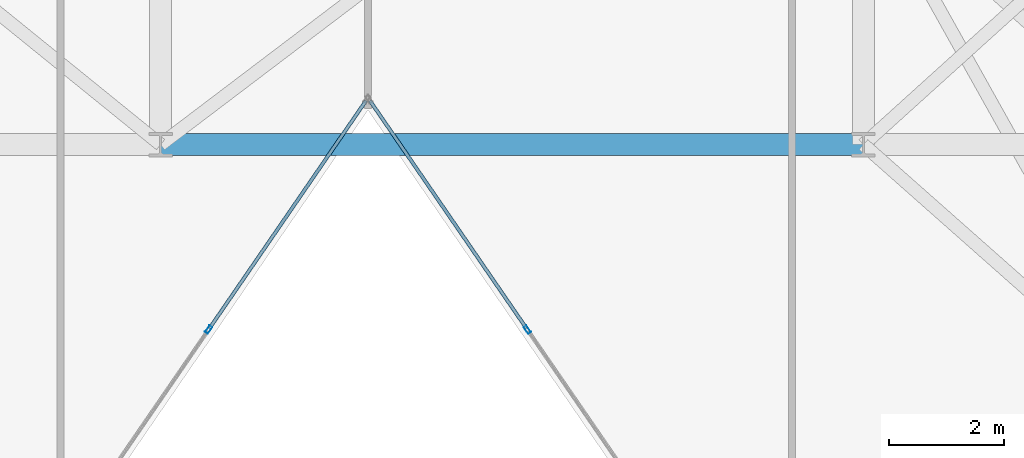
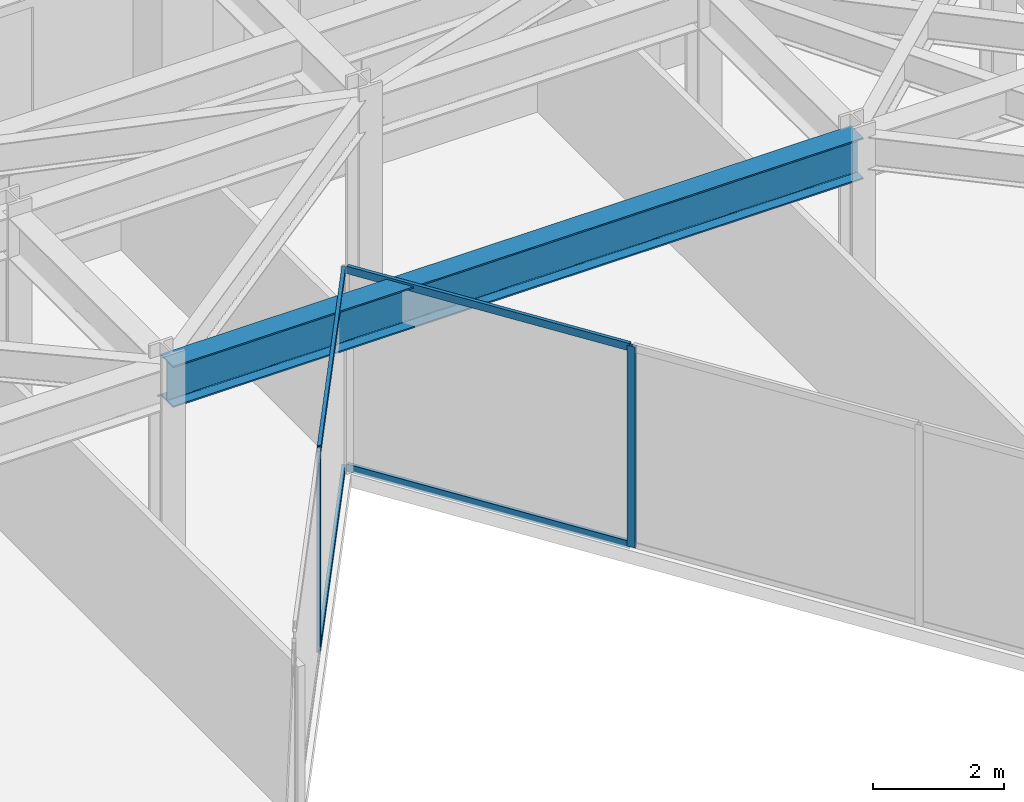
# One storey, part 6 of 21: 6 members, 1 beam, 2 elements without a shape of their own.
"""IFC4 building model written with IfcOpenShell, lengths in metres."""

from ifc_helpers import new_model, si_unit, direction, frame, origin, origin_2d, place, context, subcontext, project, spatial, hollow_rectangle, i_section, extrude, material, layer, layer_set, material_profile, profile_set, type_object, element, aggregate, save


model = new_model("IFC4")

# Units and contexts
model_context = context("Model", 3, precision=1e-05, world=origin(), true_north=direction((0.0, 1.0)))
body_context = subcontext(model_context, "Body", "Model", "MODEL_VIEW")
ifc_project = project(units=[si_unit("LENGTHUNIT", "METRE"), si_unit("AREAUNIT", "SQUARE_METRE"), si_unit("VOLUMEUNIT", "CUBIC_METRE"), si_unit("PLANEANGLEUNIT", "RADIAN"), si_unit("MASSUNIT", "GRAM", prefix="KILO")], contexts=[model_context])

# Site, building, storey
site_placement = place(None, origin())
site = spatial("IfcSite", under=ifc_project, at=site_placement, CompositionType="ELEMENT")
building_placement = place(site_placement, origin())
building = spatial("IfcBuilding", under=site, at=building_placement, Name="Kravanh Interchange Tower", CompositionType="ELEMENT")
storey_placement = place(building_placement, frame((0.0, 0.0, 192.5)))
storey = spatial("IfcBuildingStorey", under=building, at=storey_placement, Name="L46", CompositionType="ELEMENT", Elevation=192.5)

# Curtain wall, member
ifc_material_1 = material(Name="Anodised Bronze Aluminium", Category="aluminium")
ifc_layer = layer(ifc_material_1, 0.179931640625)
ifc_layer_set = layer_set([ifc_layer], Name="Unitised Curtain Wall System CW-Z3 Upper Office")
curtain_wall_type = type_object("IfcCurtainWallType", Name="Unitised Curtain Wall System CW-Z3 Upper Office", PredefinedType="NOTDEFINED", material=ifc_layer_set)
curtain_wall_1_placement = place(storey_placement, origin())
curtain_wall_1 = element("IfcCurtainWall", 1, at=curtain_wall_1_placement, inside=storey, type_object=curtain_wall_type, Name="L46 Unitised Curtain Wall CW-L46-03", PredefinedType="NOTDEFINED")
ifc_material_2 = material(Name="Anodised Bronze Aluminium", Category="aluminium")
ifc_material_profile_1 = material_profile(ifc_material_2, hollow_rectangle(XDim=0.06005859375, YDim=0.139892578125, WallThickness=0.00390625, at=origin_2d()), Name="ALU60X140X4")
ifc_profile_set_1 = profile_set([ifc_material_profile_1], Name="Anodised Bronze Aluminium")
member_type_1 = type_object("IfcMemberType", Name="Curtain Wall Mullion ALU60X140X4 Bronze", PredefinedType="MULLION", material=ifc_profile_set_1)
member_1_placement = place(storey_placement, frame((44.9658203125, 23.5888671875, 0.0), z_axis=(0.0, 0.0, 1.0), x_axis=(-0.824042223035, -0.566528388217, 0.0)))
member_1 = element("IfcMember", 2, at=member_1_placement, type_object=member_type_1, Name="CW-Z3 mullion 4", PredefinedType="MULLION", context=body_context, shape_type="SweptSolid", body=[
    extrude(hollow_rectangle(XDim=0.06005859375, YDim=0.139892578125, WallThickness=0.00390625, at=origin_2d()), origin(), (0.0, 0.0, 1.0), 3.7548828125),
])

curtain_wall_2_placement = place(storey_placement, origin())
curtain_wall_2 = element("IfcCurtainWall", 3, at=curtain_wall_2_placement, inside=storey, type_object=curtain_wall_type, Name="L46 Unitised Curtain Wall CW-L46-04", PredefinedType="NOTDEFINED")
member_2_placement = place(storey_placement, frame((39.434326171875, 23.5888671875, 0.0), z_axis=(0.0, 0.0, 1.0), x_axis=(0.824042223035, -0.566528388217, 0.0)))
member_2 = element("IfcMember", 4, at=member_2_placement, type_object=member_type_1, Name="CW-Z3 mullion 2", PredefinedType="MULLION", context=body_context, shape_type="SweptSolid", body=[
    extrude(hollow_rectangle(XDim=0.06005859375, YDim=0.139892578125, WallThickness=0.00390625, at=origin_2d()), origin(), (0.0, 0.0, 1.0), 3.7548828125),
])

# Member
ifc_material_3 = material(Name="Anodised Bronze Aluminium", Category="aluminium")
ifc_material_profile_2 = material_profile(ifc_material_3, hollow_rectangle(XDim=0.06005859375, YDim=0.139892578125, WallThickness=0.00390625, at=origin_2d()), Name="ALU60X140X4")
ifc_profile_set_2 = profile_set([ifc_material_profile_2], Name="Anodised Bronze Aluminium")
member_type_2 = type_object("IfcMemberType", Name="Curtain Wall Transom ALU60X140X4 Bronze", PredefinedType="USERDEFINED", material=ifc_profile_set_2)
member_3_placement = place(storey_placement, frame((44.94873046875, 23.613525390625, 0.030029296875), z_axis=(-0.566541796314, 0.824033004818, 0.0), x_axis=(-0.824033004818, -0.566541796314, 0.0)))
member_3 = element("IfcMember", 5, at=member_3_placement, type_object=member_type_2, Name="CW-Z3 transom 4.1", ObjectType="TRANSOM", PredefinedType="USERDEFINED", context=body_context, shape_type="SweptSolid", body=[
    extrude(hollow_rectangle(XDim=0.06005859375, YDim=0.139892578125, WallThickness=0.00390625, at=origin_2d()), origin(), (0.0, 0.0, 1.0), 4.7919921875),
])

member_4_placement = place(storey_placement, frame((44.94873046875, 23.613525390625, 3.72509765625), z_axis=(-0.566541796314, 0.824033004818, 0.0), x_axis=(-0.824033004818, -0.566541796314, 0.0)))
member_4 = element("IfcMember", 6, at=member_4_placement, type_object=member_type_2, Name="CW-Z3 transom 4.2", ObjectType="TRANSOM", PredefinedType="USERDEFINED", context=body_context, shape_type="SweptSolid", body=[
    extrude(hollow_rectangle(XDim=0.06005859375, YDim=0.139892578125, WallThickness=0.00390625, at=origin_2d()), origin(), (0.0, 0.0, 1.0), 4.7919921875),
])

aggregate(curtain_wall_1, [member_1, member_3, member_4])

member_5_placement = place(storey_placement, frame((42.166015625, 27.562255859375, 0.030029296875), z_axis=(-0.566541796314, -0.824033004818, 0.0), x_axis=(0.824033004818, -0.566541796314, 0.0)))
member_5 = element("IfcMember", 7, at=member_5_placement, type_object=member_type_2, Name="CW-Z3 transom 1.1", ObjectType="TRANSOM", PredefinedType="USERDEFINED", context=body_context, shape_type="SweptSolid", body=[
    extrude(hollow_rectangle(XDim=0.06005859375, YDim=0.139892578125, WallThickness=0.00390625, at=origin_2d()), origin(), (0.0, 0.0, 1.0), 4.7919921875),
])

member_6_placement = place(storey_placement, frame((42.166015625, 27.562255859375, 3.72509765625), z_axis=(-0.566541796314, -0.824033004818, 0.0), x_axis=(0.824033004818, -0.566541796314, 0.0)))
member_6 = element("IfcMember", 8, at=member_6_placement, type_object=member_type_2, Name="CW-Z3 transom 1.2", ObjectType="TRANSOM", PredefinedType="USERDEFINED", context=body_context, shape_type="SweptSolid", body=[
    extrude(hollow_rectangle(XDim=0.06005859375, YDim=0.139892578125, WallThickness=0.00390625, at=origin_2d()), origin(), (0.0, 0.0, 1.0), 4.7919921875),
])

aggregate(curtain_wall_2, [member_2, member_5, member_6])

# Beam
ifc_material_4 = material(Name="Structural Steel S355", Category="steel")
ifc_material_profile_3 = material_profile(ifc_material_4, i_section(OverallWidth=0.381103515625, OverallDepth=0.77294921875, WebThickness=0.0166015625, FlangeThickness=0.027099609375, FilletRadius=0.02490234375, at=origin_2d()), Name="W30X173")
ifc_profile_set_3 = profile_set([ifc_material_profile_3], Name="Structural Steel S355")
beam_type = type_object("IfcBeamType", Name="Floor Beam W30X173 Structural Steel S355", PredefinedType="BEAM", material=ifc_profile_set_3)
beam_placement = place(storey_placement, frame((38.60009765625, 26.800048828125, 3.368408203125), z_axis=(1.0, 0.0, 0.0), x_axis=(0.0, 1.0, 0.0)))
element("IfcBeam", 9, at=beam_placement, inside=storey, type_object=beam_type, Name="L46 Primary Floor Girder 48", PredefinedType="BEAM", context=body_context, shape_type="SweptSolid", body=[
    extrude(i_section(OverallWidth=0.381103515625, OverallDepth=0.77294921875, WebThickness=0.0166015625, FlangeThickness=0.027099609375, FilletRadius=0.02490234375, at=origin_2d()), origin(), (0.0, 0.0, 1.0), 12.199951171875),
])

save(model, "model.ifc")
